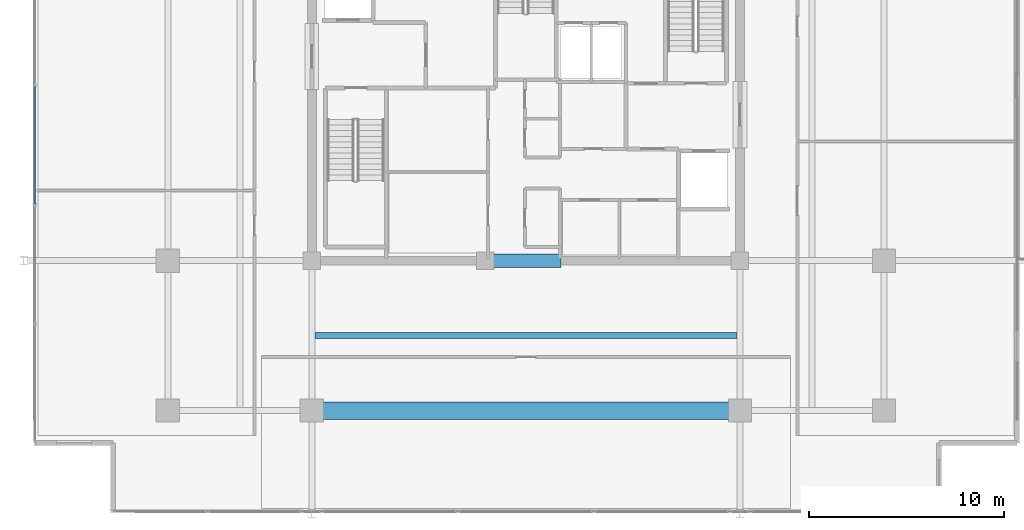
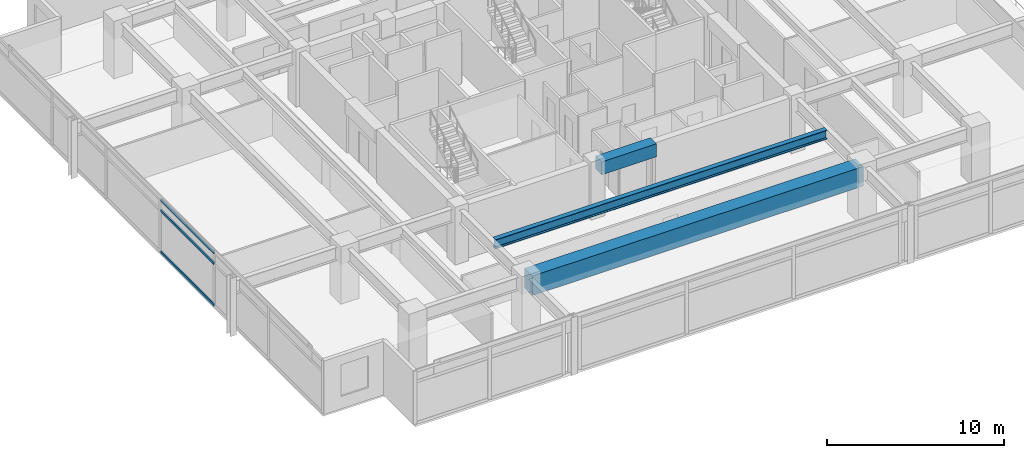
# One storey, part 5 of 20: 3 beams, 3 members, 1 element without a shape of its own.
"""IFC4 building model written with IfcOpenShell, lengths in metres."""

from ifc_helpers import new_model, si_unit, direction, frame, origin, origin_2d, place, context, subcontext, project, spatial, rectangle, hollow_rectangle, i_section, extrude, material, material_profile, profile_set, type_object, element, aggregate, save


model = new_model("IFC4")

# Units and contexts
model_context = context("Model", 3, precision=1e-05, world=origin(), true_north=direction((0.0, 1.0)))
body_context = subcontext(model_context, "Body", "Model", "MODEL_VIEW")
ifc_project = project(units=[si_unit("LENGTHUNIT", "METRE"), si_unit("AREAUNIT", "SQUARE_METRE"), si_unit("VOLUMEUNIT", "CUBIC_METRE"), si_unit("PLANEANGLEUNIT", "RADIAN"), si_unit("MASSUNIT", "GRAM", prefix="KILO")], contexts=[model_context])

# Site, building, storey
site_placement = place(None, origin())
site = spatial("IfcSite", under=ifc_project, at=site_placement, CompositionType="ELEMENT")
building_placement = place(site_placement, origin())
building = spatial("IfcBuilding", under=site, at=building_placement, Name="Kovane Verandah Tower", CompositionType="ELEMENT")
storey_placement = place(building_placement, frame((0.0, 0.0, 291.199951171875)))
storey = spatial("IfcBuildingStorey", under=building, at=storey_placement, Name="L68", CompositionType="ELEMENT", Elevation=291.199951171875)

# Beams
ifc_material_1 = material(Name="Concrete C60/75", Category="concrete")
ifc_material_profile_1 = material_profile(ifc_material_1, rectangle(XDim=0.699951171875, YDim=0.89990234375, at=origin_2d()), Name="RCB700x900")
ifc_profile_set_1 = profile_set([ifc_material_profile_1], Name="Concrete C60/75")
beam_type_1 = type_object("IfcBeamType", Name="BM-LINTEL-700x900", PredefinedType="LINTEL", material=ifc_profile_set_1)
beam_1_placement = place(storey_placement, frame((38.199951171875, 18.5, 3.25), z_axis=(1.0, 0.0, 0.0), x_axis=(0.0, 1.0, 0.0)))
element("IfcBeam", 1, at=beam_1_placement, inside=storey, type_object=beam_type_1, Name="L68 Core Coupling Lintel CL-S", PredefinedType="LINTEL", context=body_context, shape_type="SweptSolid", body=[
    extrude(rectangle(XDim=0.699951171875, YDim=0.89990234375, at=origin_2d()), origin(), (0.0, 0.0, 1.0), 3.60009765625),
])
ifc_material_2 = material(Name="Concrete C80/95", Category="concrete")
ifc_material_profile_2 = material_profile(ifc_material_2, rectangle(XDim=0.89990234375, YDim=1.35009765625, at=origin_2d()), Name="RCB900x1350")
ifc_profile_set_2 = profile_set([ifc_material_profile_2], Name="Concrete C80/95")
beam_type_2 = type_object("IfcBeamType", Name="BM-TR-900x1350", PredefinedType="BEAM", material=ifc_profile_set_2)
beam_2_placement = place(storey_placement, frame((29.179931640625, 10.800048828125, 3.025146484375), z_axis=(1.0, 0.0, 0.0), x_axis=(0.0, 1.0, 0.0)))
element("IfcBeam", 2, at=beam_2_placement, inside=storey, type_object=beam_type_2, Name="L68 Primary Tower Girder G-RS2", PredefinedType="BEAM", context=body_context, shape_type="SweptSolid", body=[
    extrude(rectangle(XDim=0.89990234375, YDim=1.35009765625, at=origin_2d()), origin(), (0.0, 0.0, 1.0), 21.64013671875),
])
ifc_material_3 = material(Name="Steel S460", Category="steel")
ifc_material_profile_3 = material_profile(ifc_material_3, i_section(OverallWidth=0.311279296875, OverallDepth=0.6357421875, WebThickness=0.018310546875, FlangeThickness=0.031494140625, FilletRadius=0.0166015625, at=origin_2d()), Name="UB610x305x238")
ifc_profile_set_3 = profile_set([ifc_material_profile_3], Name="Steel S460")
beam_type_3 = type_object("IfcBeamType", Name="BM-UB610x238", PredefinedType="BEAM", material=ifc_profile_set_3)
beam_3_placement = place(storey_placement, frame((29.15185546875, 14.64990234375, 3.382080078125), z_axis=(1.0, 0.0, 0.0), x_axis=(0.0, 1.0, 0.0)))
element("IfcBeam", 3, at=beam_3_placement, inside=storey, type_object=beam_type_3, Name="L68 Secondary Composite Joist J-S1", PredefinedType="BEAM", context=body_context, shape_type="SweptSolid", body=[
    extrude(i_section(OverallWidth=0.311279296875, OverallDepth=0.6357421875, WebThickness=0.018310546875, FlangeThickness=0.031494140625, FilletRadius=0.0166015625, at=origin_2d()), origin(), (0.0, 0.0, 1.0), 21.6962890625),
])

# Curtain wall, members
ifc_material_4 = material(Name="Champagne Anodised Aluminium Frame with Low-E Clear Laminated Glass", Category="aluminium")
curtain_wall_type = type_object("IfcCurtainWallType", Name="CW-SYS-05-HIGH", PredefinedType="NOTDEFINED", material=ifc_material_4)
curtain_wall_placement = place(storey_placement, origin())
curtain_wall = element("IfcCurtainWall", 4, at=curtain_wall_placement, inside=storey, type_object=curtain_wall_type, Name="L68 W Unitised Curtain Wall", PredefinedType="NOTDEFINED")
ifc_material_5 = material(Name="Champagne Anodised Aluminium 6063-T6", Category="aluminium")
ifc_material_profile_4 = material_profile(ifc_material_5, hollow_rectangle(XDim=0.0849609375, YDim=0.18994140625, WallThickness=0.00390625, at=origin_2d()), Name="AL85x190x4")
ifc_profile_set_4 = profile_set([ifc_material_profile_4], Name="Champagne Anodised Aluminium 6063-T6")
member_type = type_object("IfcMemberType", Name="CW-TRN-85x190", PredefinedType="USERDEFINED", material=ifc_profile_set_4)
member_1_placement = place(storey_placement, frame((14.768310546875, 27.449951171875, 0.050048828125), z_axis=(0.0, -1.0, 0.0), x_axis=(1.0, 0.0, 0.0)))
member_1 = element("IfcMember", 5, at=member_1_placement, type_object=member_type, Name="L68 W Unitised Curtain Wall Transom TB Bay 4", ObjectType="TRANSOM", PredefinedType="USERDEFINED", context=body_context, shape_type="SweptSolid", body=[
    extrude(hollow_rectangle(XDim=0.0849609375, YDim=0.18994140625, WallThickness=0.00390625, at=origin_2d()), origin(), (0.0, 0.0, 1.0), 6.02685546875),
])
member_2_placement = place(storey_placement, frame((14.768310546875, 27.449951171875, 2.920166015625), z_axis=(0.0, -1.0, 0.0), x_axis=(1.0, 0.0, 0.0)))
member_2 = element("IfcMember", 6, at=member_2_placement, type_object=member_type, Name="L68 W Unitised Curtain Wall Transom TM Bay 4", ObjectType="TRANSOM", PredefinedType="USERDEFINED", context=body_context, shape_type="SweptSolid", body=[
    extrude(hollow_rectangle(XDim=0.0849609375, YDim=0.18994140625, WallThickness=0.00390625, at=origin_2d()), origin(), (0.0, 0.0, 1.0), 6.02685546875),
])
member_3_placement = place(storey_placement, frame((14.768310546875, 27.449951171875, 3.650146484375), z_axis=(0.0, -1.0, 0.0), x_axis=(1.0, 0.0, 0.0)))
member_3 = element("IfcMember", 7, at=member_3_placement, type_object=member_type, Name="L68 W Unitised Curtain Wall Transom TT Bay 4", ObjectType="TRANSOM", PredefinedType="USERDEFINED", context=body_context, shape_type="SweptSolid", body=[
    extrude(hollow_rectangle(XDim=0.0849609375, YDim=0.18994140625, WallThickness=0.00390625, at=origin_2d()), origin(), (0.0, 0.0, 1.0), 6.02685546875),
])
aggregate(curtain_wall, [member_1, member_2, member_3])

save(model, "model.ifc")
